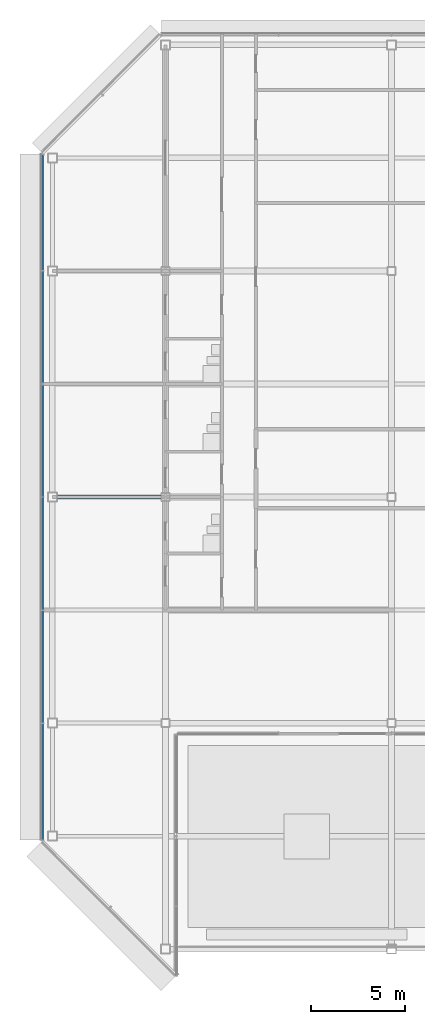
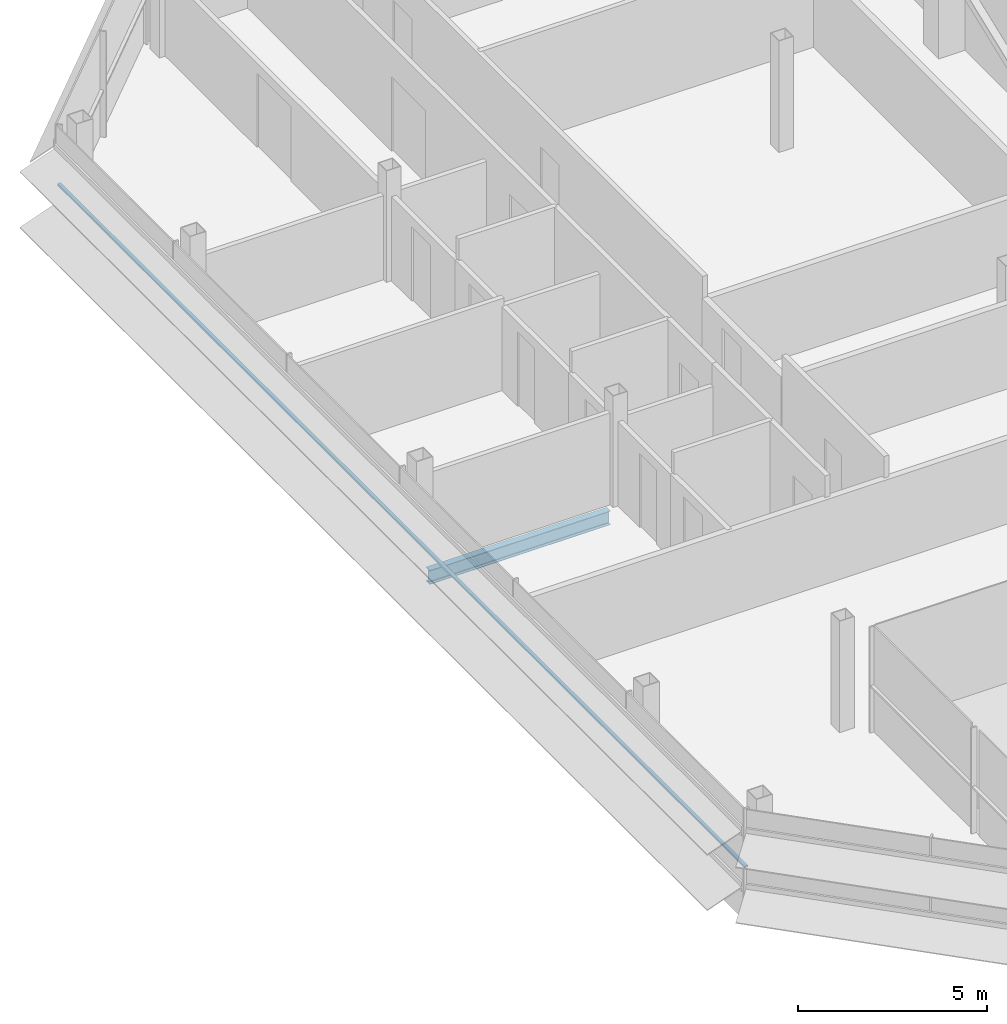
# One storey, part 7 of 31: 1 beam, 1 member, 1 element without a shape of its own.
"""IFC4 building model written with IfcOpenShell, lengths in metres."""

from ifc_helpers import new_model, si_unit, direction, frame, origin, origin_2d, place, context, subcontext, project, spatial, rectangle, i_section, extrude, material, material_profile, profile_set, type_object, element, aggregate, save


model = new_model("IFC4")

# Units and contexts
model_context = context("Model", 3, precision=1e-05, world=origin(), true_north=direction((0.0, 1.0)))
body_context = subcontext(model_context, "Body", "Model", "MODEL_VIEW")
ifc_project = project(units=[si_unit("LENGTHUNIT", "METRE"), si_unit("AREAUNIT", "SQUARE_METRE"), si_unit("VOLUMEUNIT", "CUBIC_METRE"), si_unit("PLANEANGLEUNIT", "RADIAN"), si_unit("MASSUNIT", "GRAM", prefix="KILO")], contexts=[model_context])

# Site, building, storey
site_placement = place(None, origin())
site = spatial("IfcSite", under=ifc_project, at=site_placement, CompositionType="ELEMENT")
building_placement = place(site_placement, origin())
building = spatial("IfcBuilding", under=site, at=building_placement, Name="Sorahane Residences", CompositionType="ELEMENT")
storey_placement = place(building_placement, frame((0.0, 0.0, 319.60009765625)))
storey = spatial("IfcBuildingStorey", under=building, at=storey_placement, Name="L76", CompositionType="ELEMENT", Elevation=319.60009765625)

# Curtain wall, member
ifc_material_1 = material(Name="Dark low-e glass and black anodised aluminium", Category="aluminium")
curtain_wall_type = type_object("IfcCurtainWallType", Name="Curtain wall CW-1 Typical unitised wall", PredefinedType="NOTDEFINED", material=ifc_material_1)
curtain_wall_placement = place(storey_placement, origin())
curtain_wall = element("IfcCurtainWall", 1, at=curtain_wall_placement, inside=storey, type_object=curtain_wall_type, Name="CW-1 curtain wall L76 W2", PredefinedType="NOTDEFINED")
ifc_material_2 = material(Name="Black anodised aluminium", Category="aluminium")
ifc_material_profile_1 = material_profile(ifc_material_2, rectangle(XDim=0.10009765625, YDim=0.06005859375, at=origin_2d()), Name="Curtain wall transom CW-1 black anodised aluminium 60x100")
ifc_profile_set_1 = profile_set([ifc_material_profile_1], Name="Black anodised aluminium")
member_type = type_object("IfcMemberType", Name="Curtain wall transom CW-1 black anodised aluminium 60x100", PredefinedType="USERDEFINED", material=ifc_profile_set_1)
member_placement = place(storey_placement, frame((-18.530029296875, 42.198486328125, 1.5), z_axis=(0.0, -1.0, 0.0), x_axis=(1.0, 0.0, 0.0)))
member = element("IfcMember", 2, at=member_placement, type_object=member_type, Name="CW-1 transom L76 W2", ObjectType="TRANSOM", PredefinedType="USERDEFINED", context=body_context, shape_type="SweptSolid", body=[
    extrude(rectangle(XDim=0.10009765625, YDim=0.06005859375, at=origin_2d()), origin(), (0.0, 0.0, 1.0), 36.39697265625),
])
aggregate(curtain_wall, [member])

# Beam
ifc_material_3 = material(Name="Steel Q355B", Category="steel")
ifc_material_profile_2 = material_profile(ifc_material_3, i_section(OverallWidth=0.199951171875, OverallDepth=0.449951171875, WebThickness=0.009033203125, FlangeThickness=0.013916015625, FilletRadius=0.02001953125, at=origin_2d()), Name="HN 450x200x9x14")
ifc_profile_set_2 = profile_set([ifc_material_profile_2], Name="Steel Q355B")
beam_type = type_object("IfcBeamType", Name="Steel floor beam HN 450x200x9x14 Q355B", PredefinedType="BEAM", material=ifc_profile_set_2)
beam_placement = place(storey_placement, frame((-17.75, 24.0, -0.405029296875), z_axis=(1.0, 0.0, 0.0), x_axis=(0.0, 1.0, 0.0)))
element("IfcBeam", 3, at=beam_placement, inside=storey, type_object=beam_type, Name="Beam L76 011", PredefinedType="BEAM", context=body_context, shape_type="SweptSolid", body=[
    extrude(i_section(OverallWidth=0.199951171875, OverallDepth=0.449951171875, WebThickness=0.009033203125, FlangeThickness=0.013916015625, FilletRadius=0.02001953125, at=origin_2d()), origin(), (0.0, 0.0, 1.0), 5.52490234375),
])

save(model, "model.ifc")
